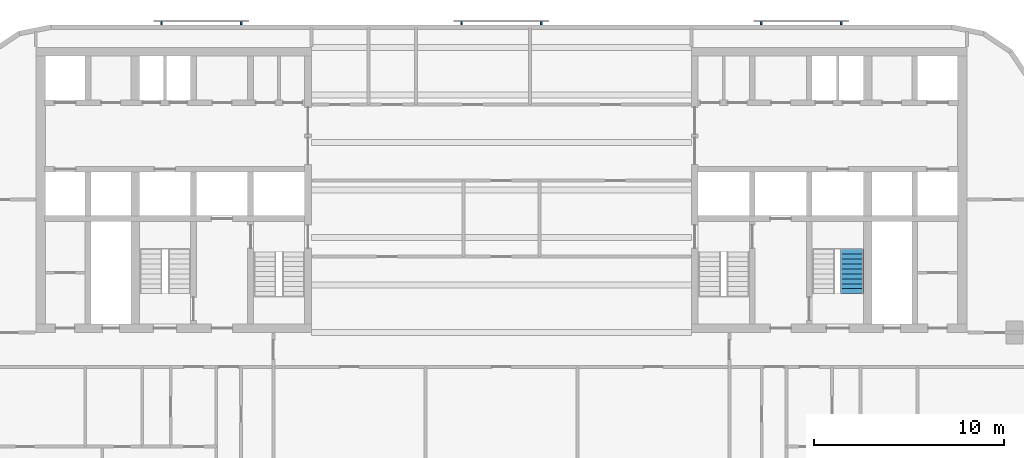
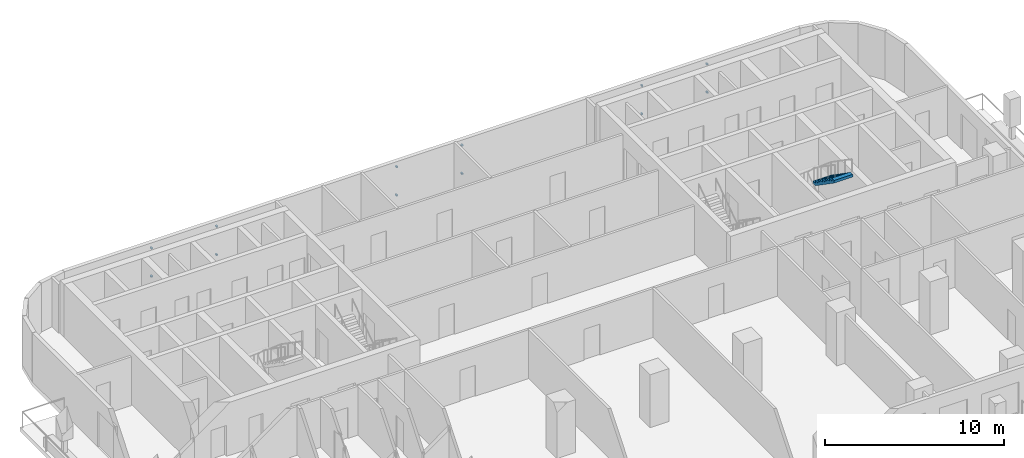
# One storey, part 8 of 11: 12 discrete accessories, 1 stair flight, 1 element without a shape of its own.
"""IFC4 building model written with IfcOpenShell, lengths in metres."""

import ifcopenshell
import ifcopenshell.guid

model = None  # the IFC model being written
_history = None  # IfcOwnerHistory: only IFC2X3 demands one
_inside = {}  # id of a spatial element -> (the spatial element, [elements in it])
_under = {}  # id of a project, library or spatial element -> (it, [spatial elements below it])
_declared = {}  # id of a project -> (the project, [libraries it declares])
_typed = {}  # id of a type object -> (the type object, [elements of that type])
_made_of = {}  # id of a material, layer set ... -> (it, [elements and type objects made of it])


def new_model(schema):
    """Start an empty IFC model of exactly this schema.

    Asked for "IFC4X3", IfcOpenShell would pick the latest addendum, in which some entities
    have other attributes; the version numbers below select the first issue.
    IFC2X3 requires an IfcOwnerHistory on every rooted entity: one is made here for all.
    """
    global model, _history
    if schema == "IFC4X3":
        model = ifcopenshell.file(schema_version=(4, 3, 0, 0))
    else:
        model = ifcopenshell.file(schema=schema)
    _inside.clear()
    _under.clear()
    _declared.clear()
    _typed.clear()
    _made_of.clear()
    _history = None
    if model.schema == "IFC2X3":
        org = make("IfcOrganization", Name="unknown")
        user = make(
            "IfcPersonAndOrganization",
            ThePerson=make("IfcPerson", FamilyName="unknown"),
            TheOrganization=org,
        )
        app = make(
            "IfcApplication",
            ApplicationDeveloper=org,
            Version="unknown",
            ApplicationFullName="unknown",
            ApplicationIdentifier="unknown",
        )
        _history = make(
            "IfcOwnerHistory",
            OwningUser=user,
            OwningApplication=app,
            ChangeAction="ADDED",
            CreationDate=0,
        )
    return model


def make(cls, **values):
    """One entity of the class cls with the attributes given. An attribute that is None is left unset."""
    return model.create_entity(
        cls, **{name: value for name, value in values.items() if value is not None}
    )


def rooted(cls, **values):
    """An entity with a GlobalId (a new one), such as an element, a storey or a relation."""
    return make(cls, GlobalId=ifcopenshell.guid.new(), OwnerHistory=_history, **values)


def si_unit(unit_type, name, prefix=None):
    """IfcSIUnit, for example si_unit("LENGTHUNIT", "METRE", prefix="MILLI")."""
    return make("IfcSIUnit", UnitType=unit_type, Prefix=prefix, Name=name)


def assignment(units):
    """IfcUnitAssignment: the units of a project."""
    return None if units is None else make("IfcUnitAssignment", Units=units)


def point(xyz):
    """IfcCartesianPoint."""
    return None if xyz is None else make("IfcCartesianPoint", Coordinates=xyz)


def direction(xyz):
    """IfcDirection."""
    return None if xyz is None else make("IfcDirection", DirectionRatios=xyz)


def frame(location, z_axis=None, x_axis=None):
    """IfcAxis2Placement3D, a coordinate frame: its origin and axes. An axis left out is left unset."""
    return make(
        "IfcAxis2Placement3D",
        Location=point(location),
        Axis=direction(z_axis),
        RefDirection=direction(x_axis),
    )


def frame_2d(location, x_axis=None):
    """IfcAxis2Placement2D, a coordinate frame in the plane: its origin and x axis."""
    return make(
        "IfcAxis2Placement2D", Location=point(location), RefDirection=direction(x_axis)
    )


def origin():
    """The frame at (0, 0, 0) with its axes left unset."""
    return frame((0.0, 0.0, 0.0))


def origin_2d():
    """The frame at (0, 0) in the plane with its x axis left unset."""
    return frame_2d((0.0, 0.0))


def place(relative_to, where):
    """IfcLocalPlacement: puts the frame where relative to a parent placement (None: the world)."""
    return make(
        "IfcLocalPlacement", PlacementRelTo=relative_to, RelativePlacement=where
    )


def context(
    kind, dimensions, precision=None, world=None, true_north=None, identifier=None
):
    """IfcGeometricRepresentationContext, for example the 3D "Model" context."""
    return make(
        "IfcGeometricRepresentationContext",
        ContextIdentifier=identifier,
        ContextType=kind,
        CoordinateSpaceDimension=dimensions,
        Precision=precision,
        WorldCoordinateSystem=world,
        TrueNorth=true_north,
    )


def subcontext(parent, identifier, kind, view, scale=None):
    """IfcGeometricRepresentationSubContext, for example "Body" below "Model"."""
    return make(
        "IfcGeometricRepresentationSubContext",
        ContextIdentifier=identifier,
        ContextType=kind,
        ParentContext=parent,
        TargetScale=scale,
        TargetView=view,
    )


def project(units=None, contexts=None):
    """IfcProject with its units and contexts."""
    return rooted(
        "IfcProject",
        Name="project",
        RepresentationContexts=contexts,
        UnitsInContext=assignment(units),
    )


def spatial(cls, under=None, at=None, **own):
    """A site, building, storey or space (cls), placed at a placement, below another one or the project."""
    s = rooted(cls, ObjectPlacement=at, **own)
    if under is not None:
        _under.setdefault(under.id(), (under, []))[1].append(s)
    return s


def polyline(points):
    """IfcPolyline through the points."""
    return make("IfcPolyline", Points=[point(p) for p in points])


def profile(cls, at=None, kind="AREA", **sizes):
    """A parametric profile (cls). Its sizes go by their IFC names, for example OverallWidth=200.0."""
    return make(cls, ProfileType=kind, Position=at, **sizes)


def rectangle(**sizes):
    """IfcRectangleProfileDef."""
    return profile("IfcRectangleProfileDef", **sizes)


def outline(outer, holes=None, kind="AREA"):
    """IfcArbitraryClosedProfileDef: a profile drawn as a closed curve; with holes, ...WithVoids."""
    if holes is None:
        return make("IfcArbitraryClosedProfileDef", ProfileType=kind, OuterCurve=outer)
    return make(
        "IfcArbitraryProfileDefWithVoids",
        ProfileType=kind,
        OuterCurve=outer,
        InnerCurves=holes,
    )


def extrude(swept, where, along, depth):
    """IfcExtrudedAreaSolid: the profile swept, set in the frame where, extruded along a direction by depth."""
    return make(
        "IfcExtrudedAreaSolid",
        SweptArea=swept,
        Position=where,
        ExtrudedDirection=direction(along),
        Depth=depth,
    )


def shape(context_of_items, identifier, shape_type, items):
    """IfcShapeRepresentation: the items that make up one representation, for example the "Body"."""
    return make(
        "IfcShapeRepresentation",
        ContextOfItems=context_of_items,
        RepresentationIdentifier=identifier,
        RepresentationType=shape_type,
        Items=items,
    )


def material(Name=None, Category=None):
    """IfcMaterial."""
    return make("IfcMaterial", Name=Name, Category=Category)


def made_of(thing, what):
    """Note that an element or type object is made of a material, layer set ...; save() writes the relation."""
    if what is not None:
        _made_of.setdefault(what.id(), (what, []))[1].append(thing)
    return thing


def type_object(cls, material=None, **own):
    """A type object (cls), such as IfcWallType, which elements share."""
    return made_of(rooted(cls, **own), material)


def element(
    cls,
    number,
    at=None,
    inside=None,
    cuts=None,
    type_object=None,
    material=None,
    context=None,
    identifier="Body",
    shape_type=None,
    held_by="IfcProductDefinitionShape",
    body=None,
    shapes=None,
    **own,
):
    """One element of the class cls, such as IfcWall. Its Tag is "e" and its number.

    at: its placement. inside: the storey or other place that contains it. cuts: it is an
    opening in that element (IfcRelVoidsElement). A single representation is given by context,
    identifier, shape_type and body (its items); several are given by shapes. held_by: the class
    of the entity that holds the representations. save() writes the other relations.
    """
    e = rooted(cls, Tag="e%d" % number, ObjectPlacement=at, **own)
    if body is not None:
        shapes = [shape(context, identifier, shape_type, body)]
    if shapes is not None:
        e.Representation = make(held_by, Representations=shapes)
    if inside is not None:
        _inside.setdefault(inside.id(), (inside, []))[1].append(e)
    if cuts is not None:
        rooted(
            "IfcRelVoidsElement", RelatingBuildingElement=cuts, RelatedOpeningElement=e
        )
    if type_object is not None:
        _typed.setdefault(type_object.id(), (type_object, []))[1].append(e)
    return made_of(e, material)


def aggregate(whole, parts):
    """IfcRelAggregates: a whole, such as a stair, and the parts it consists of."""
    return rooted("IfcRelAggregates", RelatingObject=whole, RelatedObjects=parts)


def save(model, path):
    """Write the relations noted so far, then the file.

    IfcRelAggregates (storeys below a building ...), IfcRelContainedInSpatialStructure (elements
    in a storey), IfcRelDefinesByType, IfcRelAssociatesMaterial and IfcRelDeclares: one each for
    every whole, place, type object, material and project.
    """
    for whole, parts in _under.values():
        aggregate(whole, parts)
    for where, things in _inside.values():
        rooted(
            "IfcRelContainedInSpatialStructure",
            RelatedElements=things,
            RelatingStructure=where,
        )
    for kind, things in _typed.values():
        rooted("IfcRelDefinesByType", RelatedObjects=things, RelatingType=kind)
    for what, things in _made_of.values():
        rooted("IfcRelAssociatesMaterial", RelatedObjects=things, RelatingMaterial=what)
    for by, libraries in _declared.values():
        rooted("IfcRelDeclares", RelatingContext=by, RelatedDefinitions=libraries)
    model.write(path)


model = new_model("IFC4")

# Units and contexts
model_context = context("Model", 3, precision=1e-05, world=origin(), true_north=direction((0.0, 1.0)))
body_context = subcontext(model_context, "Body", "Model", "MODEL_VIEW")
ifc_project = project(units=[si_unit("LENGTHUNIT", "METRE"), si_unit("AREAUNIT", "SQUARE_METRE"), si_unit("VOLUMEUNIT", "CUBIC_METRE"), si_unit("PLANEANGLEUNIT", "RADIAN"), si_unit("MASSUNIT", "GRAM", prefix="KILO")], contexts=[model_context])

# Site, building, storey
site_placement = place(None, origin())
site = spatial("IfcSite", under=ifc_project, at=site_placement, CompositionType="ELEMENT")
building_placement = place(site_placement, origin())
building = spatial("IfcBuilding", under=site, at=building_placement, Name="Torana Hotel and Residences", CompositionType="ELEMENT")
storey_placement = place(building_placement, frame((0.0, 0.0, 152.39990234375)))
storey = spatial("IfcBuildingStorey", under=building, at=storey_placement, Name="L39", CompositionType="ELEMENT", Elevation=152.39990234375)

# Stair, stair flight
ifc_material_1 = material(Name="Concrete C40/50 precast", Category="concrete")
stair_type = type_object("IfcStairType", Name="STAIR ST4 HALF TURN 1200", PredefinedType="HALF_TURN_STAIR", material=ifc_material_1)
stair_placement = place(storey_placement, origin())
stair = element("IfcStair", 1, at=stair_placement, inside=storey, type_object=stair_type, Name="Stair ST4 L39", PredefinedType="HALF_TURN_STAIR")
ifc_material_2 = material(Name="Concrete C40/50 precast", Category="concrete")
stair_flight_type = type_object("IfcStairFlightType", Name="STAIR FLIGHT 1200 PRECAST", PredefinedType="STRAIGHT", material=ifc_material_2)
stair_flight_placement = place(storey_placement, frame((18.449951171875, -10.610107421875, 1.800048828125), z_axis=(0.0, 0.0, 1.0), x_axis=(0.0, -1.0, 0.0)))
stair_flight = element("IfcStairFlight", 2, at=stair_flight_placement, type_object=stair_flight_type, Name="ST4 flight 2", NumberOfRisers=10, NumberOfTreads=9, PredefinedType="STRAIGHT", RiserHeight=0.18, TreadLength=0.26, context=body_context, shape_type="SweptSolid", body=[
    extrude(outline(polyline([(0.0, 0.0), (0.0, 0.179931640625), (0.260009765625, 0.179931640625), (0.260009765625, 0.360107421875), (0.52001953125, 0.360107421875), (0.52001953125, 0.5400390625), (0.780029296875, 0.5400390625), (0.780029296875, 0.719970703125), (1.0400390625, 0.719970703125), (1.0400390625, 0.89990234375), (1.300048828125, 0.89990234375), (1.300048828125, 1.080078125), (1.56005859375, 1.080078125), (1.56005859375, 1.260009765625), (1.820068359375, 1.260009765625), (1.820068359375, 1.43994140625), (2.080078125, 1.43994140625), (2.080078125, 1.6201171875), (2.340087890625, 1.6201171875), (2.340087890625, 1.800048828125), (2.340087890625, 1.437744140625), (0.263427734375, 0.0), (0.0, 0.0)])), frame((0.0, 0.60009765625, 0.0), z_axis=(0.0, -1.0, 0.0), x_axis=(1.0, 0.0, 0.0)), (0.0, 0.0, 1.0), 1.199951171875),
])
aggregate(stair, [stair_flight])

# Discrete accessories
ifc_material_3 = material(Name="Steel S355", Category="steel")
discrete_accessory_type = type_object("IfcDiscreteAccessoryType", Name="SCREEN BRACKET 100", PredefinedType="BRACKET", material=ifc_material_3)
for number, where, z_axis, x_axis, name in (
    (3, (17.883544921875, 1.27490234375, 0.75), (0.0, 0.0, 1.0), (-1.0, 0.0, 0.0), "Screen bracket L39"),
    (4, (17.883544921875, 1.27490234375, 2.670166015625), (0.0, 0.0, 1.0), (-1.0, 0.0, 0.0), "Screen bracket L39"),
    (5, (13.68359375, 1.27490234375, 0.75), (0.0, 0.0, 1.0), (-1.0, 0.0, 0.0), "Screen bracket L39"),
    (6, (13.68359375, 1.27490234375, 2.670166015625), (0.0, 0.0, 1.0), (-1.0, 0.0, 0.0), "Screen bracket L39"),
    (7, (2.10009765625, 1.27490234375, 0.75), (0.0, 0.0, 1.0), (-1.0, 0.0, 0.0), "Screen bracket L39"),
    (8, (2.10009765625, 1.27490234375, 2.670166015625), (0.0, 0.0, 1.0), (-1.0, 0.0, 0.0), "Screen bracket L39"),
    (9, (-2.10009765625, 1.27490234375, 0.75), (0.0, 0.0, 1.0), (-1.0, 0.0, 0.0), "Screen bracket L39"),
    (10, (-2.10009765625, 1.27490234375, 2.670166015625), (0.0, 0.0, 1.0), (-1.0, 0.0, 0.0), "Screen bracket L39"),
    (11, (-13.68359375, 1.27490234375, 0.75), (0.0, 0.0, 1.0), (-1.0, 0.0, 0.0), "Screen bracket L39"),
    (12, (-13.68359375, 1.27490234375, 2.670166015625), (0.0, 0.0, 1.0), (-1.0, 0.0, 0.0), "Screen bracket L39"),
    (13, (-17.883544921875, 1.27490234375, 0.75), (0.0, 0.0, 1.0), (-1.0, 0.0, 0.0), "Screen bracket L39"),
    (14, (-17.883544921875, 1.27490234375, 2.670166015625), (0.0, 0.0, 1.0), (-1.0, 0.0, 0.0), "Screen bracket L39"),
):
    element("IfcDiscreteAccessory", number, at=place(storey_placement, frame(where, z_axis=z_axis, x_axis=x_axis)), inside=storey, type_object=discrete_accessory_type, Name=name, PredefinedType="BRACKET", context=body_context, shape_type="SweptSolid", body=[
        extrude(rectangle(XDim=0.10009765625, YDim=0.14990234375, at=origin_2d()), origin(), (0.0, 0.0, 1.0), 0.10009765625),
    ])

save(model, "model.ifc")
